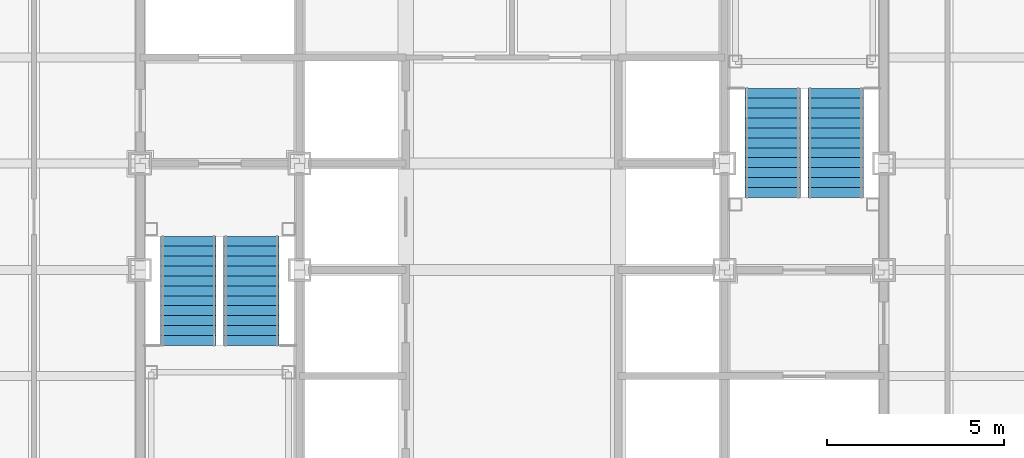
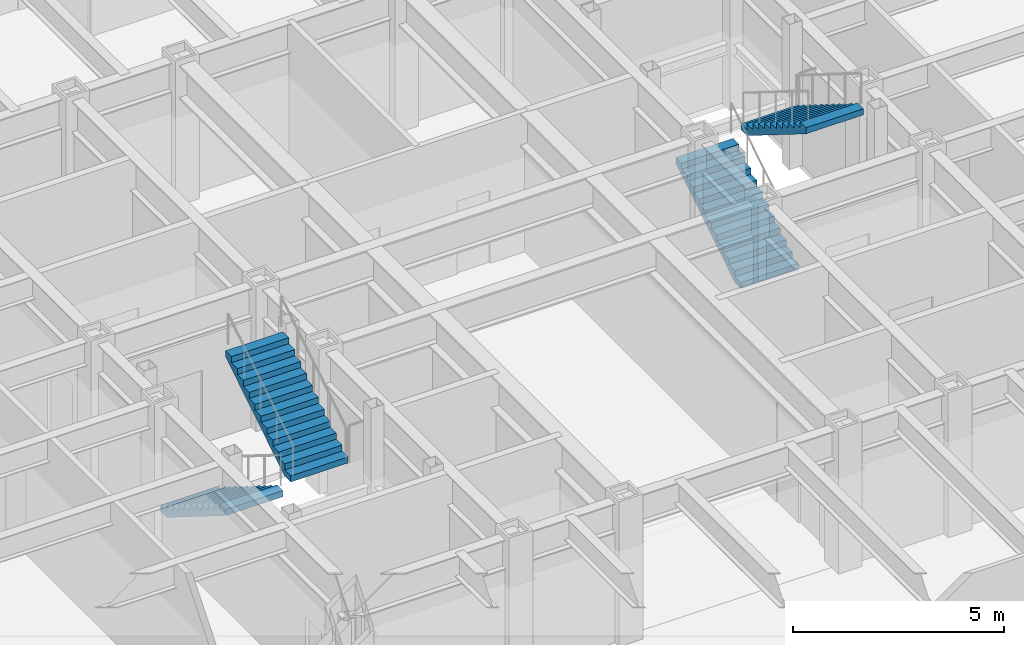
# One storey, part 13 of 15: 4 stair flights, 2 elements without a shape of their own.
"""IFC4 building model written with IfcOpenShell, lengths in metres."""

from ifc_helpers import new_model, si_unit, direction, frame, origin, place, context, subcontext, project, spatial, faceted_brep, material, type_object, element, aggregate, save


model = new_model("IFC4")

# Units and contexts
model_context = context("Model", 3, precision=1e-05, world=origin(), true_north=direction((0.0, 1.0)))
body_context = subcontext(model_context, "Body", "Model", "MODEL_VIEW")
ifc_project = project(units=[si_unit("LENGTHUNIT", "METRE"), si_unit("AREAUNIT", "SQUARE_METRE"), si_unit("VOLUMEUNIT", "CUBIC_METRE"), si_unit("PLANEANGLEUNIT", "RADIAN"), si_unit("MASSUNIT", "GRAM", prefix="KILO")], contexts=[model_context])

# Site, building, storey
site_placement = place(None, origin())
site = spatial("IfcSite", under=ifc_project, at=site_placement, CompositionType="ELEMENT")
building_placement = place(site_placement, origin())
building = spatial("IfcBuilding", under=site, at=building_placement, Name="Chuquiago Exchange Tower", CompositionType="ELEMENT")
storey_placement = place(building_placement, frame((0.0, 0.0, 188.699951171875)))
storey = spatial("IfcBuildingStorey", under=building, at=storey_placement, Name="L41", CompositionType="ELEMENT", Elevation=188.699951171875)

# Stair, stair flights
ifc_material_1 = material(Name="Concrete C30/37, precast", Category="concrete")
stair_type_1 = type_object("IfcStairType", Name="ST1 half-turn stair 4200", PredefinedType="HALF_TURN_STAIR", material=ifc_material_1)
stair_1_placement = place(storey_placement, origin())
stair_1 = element("IfcStair", 1, at=stair_1_placement, inside=storey, type_object=stair_type_1, Name="Stair ST1 L41", PredefinedType="HALF_TURN_STAIR")
ifc_material_2 = material(Name="Concrete C30/37, precast", Category="concrete")
stair_flight_type = type_object("IfcStairFlightType", Name="ST-F flight 1570 for 4200 storey", PredefinedType="STRAIGHT", material=ifc_material_2)
stair_flight_1_placement = place(storey_placement, frame((13.360107421875, 21.949951171875, 0.0), z_axis=(0.0, 0.0, 1.0), x_axis=(0.0, -1.0, 0.0)))
stair_flight_1 = element("IfcStairFlight", 2, at=stair_flight_1_placement, type_object=stair_flight_type, Name="ST1 flight 1", NumberOfRisers=12, NumberOfTreads=11, PredefinedType="STRAIGHT", RiserHeight=0.175, TreadLength=0.28, context=body_context, shape_type="Brep", body=[
    faceted_brep([(0.0, 0.78515625, 0.0), (0.0, 0.78515625, 0.175048828125), (0.280029296875, 0.78515625, 0.175048828125), (0.280029296875, 0.78515625, 0.35009765625), (0.56005859375, 0.78515625, 0.35009765625), (0.56005859375, 0.78515625, 0.52490234375), (0.840087890625, 0.78515625, 0.52490234375), (0.840087890625, 0.78515625, 0.699951171875), (1.1201171875, 0.78515625, 0.699951171875), (1.1201171875, 0.78515625, 0.875), (1.39990234375, 0.78515625, 0.875), (1.39990234375, 0.78515625, 1.050048828125), (1.679931640625, 0.78515625, 1.050048828125), (1.679931640625, 0.78515625, 1.22509765625), (1.9599609375, 0.78515625, 1.22509765625), (1.9599609375, 0.78515625, 1.39990234375), (2.239990234375, 0.78515625, 1.39990234375), (2.239990234375, 0.78515625, 1.574951171875), (2.52001953125, 0.78515625, 1.574951171875), (2.52001953125, 0.78515625, 1.75), (2.800048828125, 0.78515625, 1.75), (2.800048828125, 0.78515625, 1.925048828125), (3.080078125, 0.78515625, 1.925048828125), (3.080078125, 0.78515625, 1.748291015625), (0.28271484375, 0.78515625, 0.0), (0.28271484375, -0.78515625, 0.0), (3.080078125, -0.78515625, 1.748291015625), (3.080078125, -0.78515625, 1.925048828125), (2.800048828125, -0.78515625, 1.925048828125), (2.800048828125, -0.78515625, 1.75), (2.52001953125, -0.78515625, 1.75), (2.52001953125, -0.78515625, 1.574951171875), (2.239990234375, -0.78515625, 1.574951171875), (2.239990234375, -0.78515625, 1.39990234375), (1.9599609375, -0.78515625, 1.39990234375), (1.9599609375, -0.78515625, 1.22509765625), (1.679931640625, -0.78515625, 1.22509765625), (1.679931640625, -0.78515625, 1.050048828125), (1.39990234375, -0.78515625, 1.050048828125), (1.39990234375, -0.78515625, 0.875), (1.1201171875, -0.78515625, 0.875), (1.1201171875, -0.78515625, 0.699951171875), (0.840087890625, -0.78515625, 0.699951171875), (0.840087890625, -0.78515625, 0.52490234375), (0.56005859375, -0.78515625, 0.52490234375), (0.56005859375, -0.78515625, 0.35009765625), (0.280029296875, -0.78515625, 0.35009765625), (0.280029296875, -0.78515625, 0.175048828125), (0.0, -0.78515625, 0.175048828125), (0.0, -0.78515625, 0.0), (0.0, 0.392578125, 0.0), (0.0, 0.392578125, 0.175048828125), (0.0, 0.0, 0.0), (0.0, 0.0, 0.175048828125), (0.0, -0.392578125, 0.0), (0.0, -0.392578125, 0.175048828125), (0.280029296875, 0.392578125, 0.175048828125), (0.280029296875, 0.0, 0.175048828125), (0.280029296875, -0.392578125, 0.175048828125), (0.280029296875, 0.392578125, 0.35009765625), (0.280029296875, 0.0, 0.35009765625), (0.280029296875, -0.392578125, 0.35009765625), (0.56005859375, 0.392578125, 0.35009765625), (0.56005859375, 0.0, 0.35009765625), (0.56005859375, -0.392578125, 0.35009765625), (0.56005859375, 0.392578125, 0.52490234375), (0.56005859375, 0.0, 0.52490234375), (0.56005859375, -0.392578125, 0.52490234375), (0.840087890625, 0.392578125, 0.52490234375), (0.840087890625, 0.0, 0.52490234375), (0.840087890625, -0.392578125, 0.52490234375), (0.840087890625, 0.392578125, 0.699951171875), (0.840087890625, 0.0, 0.699951171875), (0.840087890625, -0.392578125, 0.699951171875), (1.1201171875, 0.392578125, 0.699951171875), (1.1201171875, 0.0, 0.699951171875), (1.1201171875, -0.392578125, 0.699951171875), (1.1201171875, 0.392578125, 0.875), (1.1201171875, 0.0, 0.875), (1.1201171875, -0.392578125, 0.875), (1.39990234375, 0.392578125, 0.875), (1.39990234375, 0.0, 0.875), (1.39990234375, -0.392578125, 0.875), (1.39990234375, 0.392578125, 1.050048828125), (1.39990234375, 0.0, 1.050048828125), (1.39990234375, -0.392578125, 1.050048828125), (1.679931640625, 0.392578125, 1.050048828125), (1.679931640625, 0.0, 1.050048828125), (1.679931640625, -0.392578125, 1.050048828125), (1.679931640625, 0.392578125, 1.22509765625), (1.679931640625, 0.0, 1.22509765625), (1.679931640625, -0.392578125, 1.22509765625), (1.9599609375, 0.392578125, 1.22509765625), (1.9599609375, 0.0, 1.22509765625), (1.9599609375, -0.392578125, 1.22509765625), (1.9599609375, 0.392578125, 1.39990234375), (1.9599609375, 0.0, 1.39990234375), (1.9599609375, -0.392578125, 1.39990234375), (2.239990234375, 0.392578125, 1.39990234375), (2.239990234375, 0.0, 1.39990234375), (2.239990234375, -0.392578125, 1.39990234375), (2.239990234375, 0.392578125, 1.574951171875), (2.239990234375, 0.0, 1.574951171875), (2.239990234375, -0.392578125, 1.574951171875), (2.52001953125, 0.392578125, 1.574951171875), (2.52001953125, 0.0, 1.574951171875), (2.52001953125, -0.392578125, 1.574951171875), (2.52001953125, 0.392578125, 1.75), (2.52001953125, 0.0, 1.75), (2.52001953125, -0.392578125, 1.75), (2.800048828125, 0.392578125, 1.75), (2.800048828125, 0.0, 1.75), (2.800048828125, -0.392578125, 1.75), (2.800048828125, 0.392578125, 1.925048828125), (2.800048828125, 0.0, 1.925048828125), (2.800048828125, -0.392578125, 1.925048828125), (3.080078125, 0.392578125, 1.925048828125), (3.080078125, 0.0, 1.925048828125), (3.080078125, -0.392578125, 1.925048828125), (3.080078125, 0.392578125, 1.748291015625), (3.080078125, 0.0, 1.748291015625), (3.080078125, -0.392578125, 1.748291015625), (0.28271484375, 0.392578125, 0.0), (0.28271484375, 0.0, 0.0), (0.28271484375, -0.392578125, 0.0)], [[[0, 1, 2, 3, 4, 5, 6, 7, 8, 9, 10, 11, 12, 13, 14, 15, 16, 17, 18, 19, 20, 21, 22, 23, 24]], [[25, 26, 27, 28, 29, 30, 31, 32, 33, 34, 35, 36, 37, 38, 39, 40, 41, 42, 43, 44, 45, 46, 47, 48, 49]], [[1, 0, 50, 51]], [[51, 50, 52, 53]], [[53, 52, 54, 55]], [[55, 54, 49, 48]], [[2, 1, 51, 56]], [[56, 51, 53, 57]], [[57, 53, 55, 58]], [[58, 55, 48, 47]], [[3, 2, 56, 59]], [[59, 56, 57, 60]], [[60, 57, 58, 61]], [[61, 58, 47, 46]], [[4, 3, 59, 62]], [[62, 59, 60, 63]], [[63, 60, 61, 64]], [[64, 61, 46, 45]], [[5, 4, 62, 65]], [[65, 62, 63, 66]], [[66, 63, 64, 67]], [[67, 64, 45, 44]], [[6, 5, 65, 68]], [[68, 65, 66, 69]], [[69, 66, 67, 70]], [[70, 67, 44, 43]], [[7, 6, 68, 71]], [[71, 68, 69, 72]], [[72, 69, 70, 73]], [[73, 70, 43, 42]], [[8, 7, 71, 74]], [[74, 71, 72, 75]], [[75, 72, 73, 76]], [[76, 73, 42, 41]], [[9, 8, 74, 77]], [[77, 74, 75, 78]], [[78, 75, 76, 79]], [[79, 76, 41, 40]], [[10, 9, 77, 80]], [[80, 77, 78, 81]], [[81, 78, 79, 82]], [[82, 79, 40, 39]], [[11, 10, 80, 83]], [[83, 80, 81, 84]], [[84, 81, 82, 85]], [[85, 82, 39, 38]], [[12, 11, 83, 86]], [[86, 83, 84, 87]], [[87, 84, 85, 88]], [[88, 85, 38, 37]], [[13, 12, 86, 89]], [[89, 86, 87, 90]], [[90, 87, 88, 91]], [[91, 88, 37, 36]], [[14, 13, 89, 92]], [[92, 89, 90, 93]], [[93, 90, 91, 94]], [[94, 91, 36, 35]], [[15, 14, 92, 95]], [[95, 92, 93, 96]], [[96, 93, 94, 97]], [[97, 94, 35, 34]], [[16, 15, 95, 98]], [[98, 95, 96, 99]], [[99, 96, 97, 100]], [[100, 97, 34, 33]], [[17, 16, 98, 101]], [[101, 98, 99, 102]], [[102, 99, 100, 103]], [[103, 100, 33, 32]], [[18, 17, 101, 104]], [[104, 101, 102, 105]], [[105, 102, 103, 106]], [[106, 103, 32, 31]], [[19, 18, 104, 107]], [[107, 104, 105, 108]], [[108, 105, 106, 109]], [[109, 106, 31, 30]], [[20, 19, 107, 110]], [[110, 107, 108, 111]], [[111, 108, 109, 112]], [[112, 109, 30, 29]], [[21, 20, 110, 113]], [[113, 110, 111, 114]], [[114, 111, 112, 115]], [[115, 112, 29, 28]], [[22, 21, 113, 116]], [[116, 113, 114, 117]], [[117, 114, 115, 118]], [[118, 115, 28, 27]], [[23, 22, 116, 119]], [[119, 116, 117, 120]], [[120, 117, 118, 121]], [[121, 118, 27, 26]], [[24, 23, 119, 122]], [[122, 119, 120, 123]], [[123, 120, 121, 124]], [[124, 121, 26, 25]], [[0, 24, 122, 50]], [[50, 122, 123, 52]], [[52, 123, 124, 54]], [[54, 124, 25, 49]]]),
])
stair_flight_2_placement = place(storey_placement, frame((15.139892578125, 18.8701171875, 2.10009765625), z_axis=(0.0, 0.0, 1.0), x_axis=(0.0, 1.0, 0.0)))
stair_flight_2 = element("IfcStairFlight", 3, at=stair_flight_2_placement, type_object=stair_flight_type, Name="ST1 flight 2", NumberOfRisers=12, NumberOfTreads=11, PredefinedType="STRAIGHT", RiserHeight=0.175, TreadLength=0.28, context=body_context, shape_type="Brep", body=[
    faceted_brep([(0.0, 0.78515625, 0.0), (0.0, 0.78515625, 0.175048828125), (0.280029296875, 0.78515625, 0.175048828125), (0.280029296875, 0.78515625, 0.35009765625), (0.56005859375, 0.78515625, 0.35009765625), (0.56005859375, 0.78515625, 0.52490234375), (0.840087890625, 0.78515625, 0.52490234375), (0.840087890625, 0.78515625, 0.699951171875), (1.1201171875, 0.78515625, 0.699951171875), (1.1201171875, 0.78515625, 0.875), (1.39990234375, 0.78515625, 0.875), (1.39990234375, 0.78515625, 1.050048828125), (1.679931640625, 0.78515625, 1.050048828125), (1.679931640625, 0.78515625, 1.22509765625), (1.9599609375, 0.78515625, 1.22509765625), (1.9599609375, 0.78515625, 1.39990234375), (2.239990234375, 0.78515625, 1.39990234375), (2.239990234375, 0.78515625, 1.574951171875), (2.52001953125, 0.78515625, 1.574951171875), (2.52001953125, 0.78515625, 1.75), (2.800048828125, 0.78515625, 1.75), (2.800048828125, 0.78515625, 1.925048828125), (3.080078125, 0.78515625, 1.925048828125), (3.080078125, 0.78515625, 1.748291015625), (0.28271484375, 0.78515625, 0.0), (0.28271484375, -0.78515625, 0.0), (3.080078125, -0.78515625, 1.748291015625), (3.080078125, -0.78515625, 1.925048828125), (2.800048828125, -0.78515625, 1.925048828125), (2.800048828125, -0.78515625, 1.75), (2.52001953125, -0.78515625, 1.75), (2.52001953125, -0.78515625, 1.574951171875), (2.239990234375, -0.78515625, 1.574951171875), (2.239990234375, -0.78515625, 1.39990234375), (1.9599609375, -0.78515625, 1.39990234375), (1.9599609375, -0.78515625, 1.22509765625), (1.679931640625, -0.78515625, 1.22509765625), (1.679931640625, -0.78515625, 1.050048828125), (1.39990234375, -0.78515625, 1.050048828125), (1.39990234375, -0.78515625, 0.875), (1.1201171875, -0.78515625, 0.875), (1.1201171875, -0.78515625, 0.699951171875), (0.840087890625, -0.78515625, 0.699951171875), (0.840087890625, -0.78515625, 0.52490234375), (0.56005859375, -0.78515625, 0.52490234375), (0.56005859375, -0.78515625, 0.35009765625), (0.280029296875, -0.78515625, 0.35009765625), (0.280029296875, -0.78515625, 0.175048828125), (0.0, -0.78515625, 0.175048828125), (0.0, -0.78515625, 0.0), (0.0, 0.392578125, 0.0), (0.0, 0.392578125, 0.175048828125), (0.0, 0.0, 0.0), (0.0, 0.0, 0.175048828125), (0.0, -0.392578125, 0.0), (0.0, -0.392578125, 0.175048828125), (0.280029296875, 0.392578125, 0.175048828125), (0.280029296875, 0.0, 0.175048828125), (0.280029296875, -0.392578125, 0.175048828125), (0.280029296875, 0.392578125, 0.35009765625), (0.280029296875, 0.0, 0.35009765625), (0.280029296875, -0.392578125, 0.35009765625), (0.56005859375, 0.392578125, 0.35009765625), (0.56005859375, 0.0, 0.35009765625), (0.56005859375, -0.392578125, 0.35009765625), (0.56005859375, 0.392578125, 0.52490234375), (0.56005859375, 0.0, 0.52490234375), (0.56005859375, -0.392578125, 0.52490234375), (0.840087890625, 0.392578125, 0.52490234375), (0.840087890625, 0.0, 0.52490234375), (0.840087890625, -0.392578125, 0.52490234375), (0.840087890625, 0.392578125, 0.699951171875), (0.840087890625, 0.0, 0.699951171875), (0.840087890625, -0.392578125, 0.699951171875), (1.1201171875, 0.392578125, 0.699951171875), (1.1201171875, 0.0, 0.699951171875), (1.1201171875, -0.392578125, 0.699951171875), (1.1201171875, 0.392578125, 0.875), (1.1201171875, 0.0, 0.875), (1.1201171875, -0.392578125, 0.875), (1.39990234375, 0.392578125, 0.875), (1.39990234375, 0.0, 0.875), (1.39990234375, -0.392578125, 0.875), (1.39990234375, 0.392578125, 1.050048828125), (1.39990234375, 0.0, 1.050048828125), (1.39990234375, -0.392578125, 1.050048828125), (1.679931640625, 0.392578125, 1.050048828125), (1.679931640625, 0.0, 1.050048828125), (1.679931640625, -0.392578125, 1.050048828125), (1.679931640625, 0.392578125, 1.22509765625), (1.679931640625, 0.0, 1.22509765625), (1.679931640625, -0.392578125, 1.22509765625), (1.9599609375, 0.392578125, 1.22509765625), (1.9599609375, 0.0, 1.22509765625), (1.9599609375, -0.392578125, 1.22509765625), (1.9599609375, 0.392578125, 1.39990234375), (1.9599609375, 0.0, 1.39990234375), (1.9599609375, -0.392578125, 1.39990234375), (2.239990234375, 0.392578125, 1.39990234375), (2.239990234375, 0.0, 1.39990234375), (2.239990234375, -0.392578125, 1.39990234375), (2.239990234375, 0.392578125, 1.574951171875), (2.239990234375, 0.0, 1.574951171875), (2.239990234375, -0.392578125, 1.574951171875), (2.52001953125, 0.392578125, 1.574951171875), (2.52001953125, 0.0, 1.574951171875), (2.52001953125, -0.392578125, 1.574951171875), (2.52001953125, 0.392578125, 1.75), (2.52001953125, 0.0, 1.75), (2.52001953125, -0.392578125, 1.75), (2.800048828125, 0.392578125, 1.75), (2.800048828125, 0.0, 1.75), (2.800048828125, -0.392578125, 1.75), (2.800048828125, 0.392578125, 1.925048828125), (2.800048828125, 0.0, 1.925048828125), (2.800048828125, -0.392578125, 1.925048828125), (3.080078125, 0.392578125, 1.925048828125), (3.080078125, 0.0, 1.925048828125), (3.080078125, -0.392578125, 1.925048828125), (3.080078125, 0.392578125, 1.748291015625), (3.080078125, 0.0, 1.748291015625), (3.080078125, -0.392578125, 1.748291015625), (0.28271484375, 0.392578125, 0.0), (0.28271484375, 0.0, 0.0), (0.28271484375, -0.392578125, 0.0)], [[[0, 1, 2, 3, 4, 5, 6, 7, 8, 9, 10, 11, 12, 13, 14, 15, 16, 17, 18, 19, 20, 21, 22, 23, 24]], [[25, 26, 27, 28, 29, 30, 31, 32, 33, 34, 35, 36, 37, 38, 39, 40, 41, 42, 43, 44, 45, 46, 47, 48, 49]], [[1, 0, 50, 51]], [[51, 50, 52, 53]], [[53, 52, 54, 55]], [[55, 54, 49, 48]], [[2, 1, 51, 56]], [[56, 51, 53, 57]], [[57, 53, 55, 58]], [[58, 55, 48, 47]], [[3, 2, 56, 59]], [[59, 56, 57, 60]], [[60, 57, 58, 61]], [[61, 58, 47, 46]], [[4, 3, 59, 62]], [[62, 59, 60, 63]], [[63, 60, 61, 64]], [[64, 61, 46, 45]], [[5, 4, 62, 65]], [[65, 62, 63, 66]], [[66, 63, 64, 67]], [[67, 64, 45, 44]], [[6, 5, 65, 68]], [[68, 65, 66, 69]], [[69, 66, 67, 70]], [[70, 67, 44, 43]], [[7, 6, 68, 71]], [[71, 68, 69, 72]], [[72, 69, 70, 73]], [[73, 70, 43, 42]], [[8, 7, 71, 74]], [[74, 71, 72, 75]], [[75, 72, 73, 76]], [[76, 73, 42, 41]], [[9, 8, 74, 77]], [[77, 74, 75, 78]], [[78, 75, 76, 79]], [[79, 76, 41, 40]], [[10, 9, 77, 80]], [[80, 77, 78, 81]], [[81, 78, 79, 82]], [[82, 79, 40, 39]], [[11, 10, 80, 83]], [[83, 80, 81, 84]], [[84, 81, 82, 85]], [[85, 82, 39, 38]], [[12, 11, 83, 86]], [[86, 83, 84, 87]], [[87, 84, 85, 88]], [[88, 85, 38, 37]], [[13, 12, 86, 89]], [[89, 86, 87, 90]], [[90, 87, 88, 91]], [[91, 88, 37, 36]], [[14, 13, 89, 92]], [[92, 89, 90, 93]], [[93, 90, 91, 94]], [[94, 91, 36, 35]], [[15, 14, 92, 95]], [[95, 92, 93, 96]], [[96, 93, 94, 97]], [[97, 94, 35, 34]], [[16, 15, 95, 98]], [[98, 95, 96, 99]], [[99, 96, 97, 100]], [[100, 97, 34, 33]], [[17, 16, 98, 101]], [[101, 98, 99, 102]], [[102, 99, 100, 103]], [[103, 100, 33, 32]], [[18, 17, 101, 104]], [[104, 101, 102, 105]], [[105, 102, 103, 106]], [[106, 103, 32, 31]], [[19, 18, 104, 107]], [[107, 104, 105, 108]], [[108, 105, 106, 109]], [[109, 106, 31, 30]], [[20, 19, 107, 110]], [[110, 107, 108, 111]], [[111, 108, 109, 112]], [[112, 109, 30, 29]], [[21, 20, 110, 113]], [[113, 110, 111, 114]], [[114, 111, 112, 115]], [[115, 112, 29, 28]], [[22, 21, 113, 116]], [[116, 113, 114, 117]], [[117, 114, 115, 118]], [[118, 115, 28, 27]], [[23, 22, 116, 119]], [[119, 116, 117, 120]], [[120, 117, 118, 121]], [[121, 118, 27, 26]], [[24, 23, 119, 122]], [[122, 119, 120, 123]], [[123, 120, 121, 124]], [[124, 121, 26, 25]], [[0, 24, 122, 50]], [[50, 122, 123, 52]], [[52, 123, 124, 54]], [[54, 124, 25, 49]]]),
])
aggregate(stair_1, [stair_flight_1, stair_flight_2])

ifc_material_3 = material(Name="Concrete C30/37, precast", Category="concrete")
stair_type_2 = type_object("IfcStairType", Name="ST2 half-turn stair 4200", PredefinedType="HALF_TURN_STAIR", material=ifc_material_3)
stair_2_placement = place(storey_placement, origin())
stair_2 = element("IfcStair", 4, at=stair_2_placement, inside=storey, type_object=stair_type_2, Name="Stair ST2 L41", PredefinedType="HALF_TURN_STAIR")
stair_flight_3_placement = place(storey_placement, frame((29.860107421875, 23.050048828125, 0.0), z_axis=(0.0, 0.0, 1.0), x_axis=(0.0, 1.0, 0.0)))
stair_flight_3 = element("IfcStairFlight", 5, at=stair_flight_3_placement, type_object=stair_flight_type, Name="ST2 flight 1", NumberOfRisers=12, NumberOfTreads=11, PredefinedType="STRAIGHT", RiserHeight=0.175, TreadLength=0.28, context=body_context, shape_type="Brep", body=[
    faceted_brep([(0.0, 0.78515625, 0.0), (0.0, 0.78515625, 0.175048828125), (0.280029296875, 0.78515625, 0.175048828125), (0.280029296875, 0.78515625, 0.35009765625), (0.56005859375, 0.78515625, 0.35009765625), (0.56005859375, 0.78515625, 0.52490234375), (0.840087890625, 0.78515625, 0.52490234375), (0.840087890625, 0.78515625, 0.699951171875), (1.1201171875, 0.78515625, 0.699951171875), (1.1201171875, 0.78515625, 0.875), (1.39990234375, 0.78515625, 0.875), (1.39990234375, 0.78515625, 1.050048828125), (1.679931640625, 0.78515625, 1.050048828125), (1.679931640625, 0.78515625, 1.22509765625), (1.9599609375, 0.78515625, 1.22509765625), (1.9599609375, 0.78515625, 1.39990234375), (2.239990234375, 0.78515625, 1.39990234375), (2.239990234375, 0.78515625, 1.574951171875), (2.52001953125, 0.78515625, 1.574951171875), (2.52001953125, 0.78515625, 1.75), (2.800048828125, 0.78515625, 1.75), (2.800048828125, 0.78515625, 1.925048828125), (3.080078125, 0.78515625, 1.925048828125), (3.080078125, 0.78515625, 1.748291015625), (0.28271484375, 0.78515625, 0.0), (0.28271484375, -0.78515625, 0.0), (3.080078125, -0.78515625, 1.748291015625), (3.080078125, -0.78515625, 1.925048828125), (2.800048828125, -0.78515625, 1.925048828125), (2.800048828125, -0.78515625, 1.75), (2.52001953125, -0.78515625, 1.75), (2.52001953125, -0.78515625, 1.574951171875), (2.239990234375, -0.78515625, 1.574951171875), (2.239990234375, -0.78515625, 1.39990234375), (1.9599609375, -0.78515625, 1.39990234375), (1.9599609375, -0.78515625, 1.22509765625), (1.679931640625, -0.78515625, 1.22509765625), (1.679931640625, -0.78515625, 1.050048828125), (1.39990234375, -0.78515625, 1.050048828125), (1.39990234375, -0.78515625, 0.875), (1.1201171875, -0.78515625, 0.875), (1.1201171875, -0.78515625, 0.699951171875), (0.840087890625, -0.78515625, 0.699951171875), (0.840087890625, -0.78515625, 0.52490234375), (0.56005859375, -0.78515625, 0.52490234375), (0.56005859375, -0.78515625, 0.35009765625), (0.280029296875, -0.78515625, 0.35009765625), (0.280029296875, -0.78515625, 0.175048828125), (0.0, -0.78515625, 0.175048828125), (0.0, -0.78515625, 0.0), (0.0, 0.392578125, 0.0), (0.0, 0.392578125, 0.175048828125), (0.0, 0.0, 0.0), (0.0, 0.0, 0.175048828125), (0.0, -0.392578125, 0.0), (0.0, -0.392578125, 0.175048828125), (0.280029296875, 0.392578125, 0.175048828125), (0.280029296875, 0.0, 0.175048828125), (0.280029296875, -0.392578125, 0.175048828125), (0.280029296875, 0.392578125, 0.35009765625), (0.280029296875, 0.0, 0.35009765625), (0.280029296875, -0.392578125, 0.35009765625), (0.56005859375, 0.392578125, 0.35009765625), (0.56005859375, 0.0, 0.35009765625), (0.56005859375, -0.392578125, 0.35009765625), (0.56005859375, 0.392578125, 0.52490234375), (0.56005859375, 0.0, 0.52490234375), (0.56005859375, -0.392578125, 0.52490234375), (0.840087890625, 0.392578125, 0.52490234375), (0.840087890625, 0.0, 0.52490234375), (0.840087890625, -0.392578125, 0.52490234375), (0.840087890625, 0.392578125, 0.699951171875), (0.840087890625, 0.0, 0.699951171875), (0.840087890625, -0.392578125, 0.699951171875), (1.1201171875, 0.392578125, 0.699951171875), (1.1201171875, 0.0, 0.699951171875), (1.1201171875, -0.392578125, 0.699951171875), (1.1201171875, 0.392578125, 0.875), (1.1201171875, 0.0, 0.875), (1.1201171875, -0.392578125, 0.875), (1.39990234375, 0.392578125, 0.875), (1.39990234375, 0.0, 0.875), (1.39990234375, -0.392578125, 0.875), (1.39990234375, 0.392578125, 1.050048828125), (1.39990234375, 0.0, 1.050048828125), (1.39990234375, -0.392578125, 1.050048828125), (1.679931640625, 0.392578125, 1.050048828125), (1.679931640625, 0.0, 1.050048828125), (1.679931640625, -0.392578125, 1.050048828125), (1.679931640625, 0.392578125, 1.22509765625), (1.679931640625, 0.0, 1.22509765625), (1.679931640625, -0.392578125, 1.22509765625), (1.9599609375, 0.392578125, 1.22509765625), (1.9599609375, 0.0, 1.22509765625), (1.9599609375, -0.392578125, 1.22509765625), (1.9599609375, 0.392578125, 1.39990234375), (1.9599609375, 0.0, 1.39990234375), (1.9599609375, -0.392578125, 1.39990234375), (2.239990234375, 0.392578125, 1.39990234375), (2.239990234375, 0.0, 1.39990234375), (2.239990234375, -0.392578125, 1.39990234375), (2.239990234375, 0.392578125, 1.574951171875), (2.239990234375, 0.0, 1.574951171875), (2.239990234375, -0.392578125, 1.574951171875), (2.52001953125, 0.392578125, 1.574951171875), (2.52001953125, 0.0, 1.574951171875), (2.52001953125, -0.392578125, 1.574951171875), (2.52001953125, 0.392578125, 1.75), (2.52001953125, 0.0, 1.75), (2.52001953125, -0.392578125, 1.75), (2.800048828125, 0.392578125, 1.75), (2.800048828125, 0.0, 1.75), (2.800048828125, -0.392578125, 1.75), (2.800048828125, 0.392578125, 1.925048828125), (2.800048828125, 0.0, 1.925048828125), (2.800048828125, -0.392578125, 1.925048828125), (3.080078125, 0.392578125, 1.925048828125), (3.080078125, 0.0, 1.925048828125), (3.080078125, -0.392578125, 1.925048828125), (3.080078125, 0.392578125, 1.748291015625), (3.080078125, 0.0, 1.748291015625), (3.080078125, -0.392578125, 1.748291015625), (0.28271484375, 0.392578125, 0.0), (0.28271484375, 0.0, 0.0), (0.28271484375, -0.392578125, 0.0)], [[[0, 1, 2, 3, 4, 5, 6, 7, 8, 9, 10, 11, 12, 13, 14, 15, 16, 17, 18, 19, 20, 21, 22, 23, 24]], [[25, 26, 27, 28, 29, 30, 31, 32, 33, 34, 35, 36, 37, 38, 39, 40, 41, 42, 43, 44, 45, 46, 47, 48, 49]], [[1, 0, 50, 51]], [[51, 50, 52, 53]], [[53, 52, 54, 55]], [[55, 54, 49, 48]], [[2, 1, 51, 56]], [[56, 51, 53, 57]], [[57, 53, 55, 58]], [[58, 55, 48, 47]], [[3, 2, 56, 59]], [[59, 56, 57, 60]], [[60, 57, 58, 61]], [[61, 58, 47, 46]], [[4, 3, 59, 62]], [[62, 59, 60, 63]], [[63, 60, 61, 64]], [[64, 61, 46, 45]], [[5, 4, 62, 65]], [[65, 62, 63, 66]], [[66, 63, 64, 67]], [[67, 64, 45, 44]], [[6, 5, 65, 68]], [[68, 65, 66, 69]], [[69, 66, 67, 70]], [[70, 67, 44, 43]], [[7, 6, 68, 71]], [[71, 68, 69, 72]], [[72, 69, 70, 73]], [[73, 70, 43, 42]], [[8, 7, 71, 74]], [[74, 71, 72, 75]], [[75, 72, 73, 76]], [[76, 73, 42, 41]], [[9, 8, 74, 77]], [[77, 74, 75, 78]], [[78, 75, 76, 79]], [[79, 76, 41, 40]], [[10, 9, 77, 80]], [[80, 77, 78, 81]], [[81, 78, 79, 82]], [[82, 79, 40, 39]], [[11, 10, 80, 83]], [[83, 80, 81, 84]], [[84, 81, 82, 85]], [[85, 82, 39, 38]], [[12, 11, 83, 86]], [[86, 83, 84, 87]], [[87, 84, 85, 88]], [[88, 85, 38, 37]], [[13, 12, 86, 89]], [[89, 86, 87, 90]], [[90, 87, 88, 91]], [[91, 88, 37, 36]], [[14, 13, 89, 92]], [[92, 89, 90, 93]], [[93, 90, 91, 94]], [[94, 91, 36, 35]], [[15, 14, 92, 95]], [[95, 92, 93, 96]], [[96, 93, 94, 97]], [[97, 94, 35, 34]], [[16, 15, 95, 98]], [[98, 95, 96, 99]], [[99, 96, 97, 100]], [[100, 97, 34, 33]], [[17, 16, 98, 101]], [[101, 98, 99, 102]], [[102, 99, 100, 103]], [[103, 100, 33, 32]], [[18, 17, 101, 104]], [[104, 101, 102, 105]], [[105, 102, 103, 106]], [[106, 103, 32, 31]], [[19, 18, 104, 107]], [[107, 104, 105, 108]], [[108, 105, 106, 109]], [[109, 106, 31, 30]], [[20, 19, 107, 110]], [[110, 107, 108, 111]], [[111, 108, 109, 112]], [[112, 109, 30, 29]], [[21, 20, 110, 113]], [[113, 110, 111, 114]], [[114, 111, 112, 115]], [[115, 112, 29, 28]], [[22, 21, 113, 116]], [[116, 113, 114, 117]], [[117, 114, 115, 118]], [[118, 115, 28, 27]], [[23, 22, 116, 119]], [[119, 116, 117, 120]], [[120, 117, 118, 121]], [[121, 118, 27, 26]], [[24, 23, 119, 122]], [[122, 119, 120, 123]], [[123, 120, 121, 124]], [[124, 121, 26, 25]], [[0, 24, 122, 50]], [[50, 122, 123, 52]], [[52, 123, 124, 54]], [[54, 124, 25, 49]]]),
])
stair_flight_4_placement = place(storey_placement, frame((31.639892578125, 26.1298828125, 2.10009765625), z_axis=(0.0, 0.0, 1.0), x_axis=(0.0, -1.0, 0.0)))
stair_flight_4 = element("IfcStairFlight", 6, at=stair_flight_4_placement, type_object=stair_flight_type, Name="ST2 flight 2", NumberOfRisers=12, NumberOfTreads=11, PredefinedType="STRAIGHT", RiserHeight=0.175, TreadLength=0.28, context=body_context, shape_type="Brep", body=[
    faceted_brep([(0.0, 0.78515625, 0.0), (0.0, 0.78515625, 0.175048828125), (0.280029296875, 0.78515625, 0.175048828125), (0.280029296875, 0.78515625, 0.35009765625), (0.56005859375, 0.78515625, 0.35009765625), (0.56005859375, 0.78515625, 0.52490234375), (0.840087890625, 0.78515625, 0.52490234375), (0.840087890625, 0.78515625, 0.699951171875), (1.1201171875, 0.78515625, 0.699951171875), (1.1201171875, 0.78515625, 0.875), (1.39990234375, 0.78515625, 0.875), (1.39990234375, 0.78515625, 1.050048828125), (1.679931640625, 0.78515625, 1.050048828125), (1.679931640625, 0.78515625, 1.22509765625), (1.9599609375, 0.78515625, 1.22509765625), (1.9599609375, 0.78515625, 1.39990234375), (2.239990234375, 0.78515625, 1.39990234375), (2.239990234375, 0.78515625, 1.574951171875), (2.52001953125, 0.78515625, 1.574951171875), (2.52001953125, 0.78515625, 1.75), (2.800048828125, 0.78515625, 1.75), (2.800048828125, 0.78515625, 1.925048828125), (3.080078125, 0.78515625, 1.925048828125), (3.080078125, 0.78515625, 1.748291015625), (0.28271484375, 0.78515625, 0.0), (0.28271484375, -0.78515625, 0.0), (3.080078125, -0.78515625, 1.748291015625), (3.080078125, -0.78515625, 1.925048828125), (2.800048828125, -0.78515625, 1.925048828125), (2.800048828125, -0.78515625, 1.75), (2.52001953125, -0.78515625, 1.75), (2.52001953125, -0.78515625, 1.574951171875), (2.239990234375, -0.78515625, 1.574951171875), (2.239990234375, -0.78515625, 1.39990234375), (1.9599609375, -0.78515625, 1.39990234375), (1.9599609375, -0.78515625, 1.22509765625), (1.679931640625, -0.78515625, 1.22509765625), (1.679931640625, -0.78515625, 1.050048828125), (1.39990234375, -0.78515625, 1.050048828125), (1.39990234375, -0.78515625, 0.875), (1.1201171875, -0.78515625, 0.875), (1.1201171875, -0.78515625, 0.699951171875), (0.840087890625, -0.78515625, 0.699951171875), (0.840087890625, -0.78515625, 0.52490234375), (0.56005859375, -0.78515625, 0.52490234375), (0.56005859375, -0.78515625, 0.35009765625), (0.280029296875, -0.78515625, 0.35009765625), (0.280029296875, -0.78515625, 0.175048828125), (0.0, -0.78515625, 0.175048828125), (0.0, -0.78515625, 0.0), (0.0, 0.392578125, 0.0), (0.0, 0.392578125, 0.175048828125), (0.0, 0.0, 0.0), (0.0, 0.0, 0.175048828125), (0.0, -0.392578125, 0.0), (0.0, -0.392578125, 0.175048828125), (0.280029296875, 0.392578125, 0.175048828125), (0.280029296875, 0.0, 0.175048828125), (0.280029296875, -0.392578125, 0.175048828125), (0.280029296875, 0.392578125, 0.35009765625), (0.280029296875, 0.0, 0.35009765625), (0.280029296875, -0.392578125, 0.35009765625), (0.56005859375, 0.392578125, 0.35009765625), (0.56005859375, 0.0, 0.35009765625), (0.56005859375, -0.392578125, 0.35009765625), (0.56005859375, 0.392578125, 0.52490234375), (0.56005859375, 0.0, 0.52490234375), (0.56005859375, -0.392578125, 0.52490234375), (0.840087890625, 0.392578125, 0.52490234375), (0.840087890625, 0.0, 0.52490234375), (0.840087890625, -0.392578125, 0.52490234375), (0.840087890625, 0.392578125, 0.699951171875), (0.840087890625, 0.0, 0.699951171875), (0.840087890625, -0.392578125, 0.699951171875), (1.1201171875, 0.392578125, 0.699951171875), (1.1201171875, 0.0, 0.699951171875), (1.1201171875, -0.392578125, 0.699951171875), (1.1201171875, 0.392578125, 0.875), (1.1201171875, 0.0, 0.875), (1.1201171875, -0.392578125, 0.875), (1.39990234375, 0.392578125, 0.875), (1.39990234375, 0.0, 0.875), (1.39990234375, -0.392578125, 0.875), (1.39990234375, 0.392578125, 1.050048828125), (1.39990234375, 0.0, 1.050048828125), (1.39990234375, -0.392578125, 1.050048828125), (1.679931640625, 0.392578125, 1.050048828125), (1.679931640625, 0.0, 1.050048828125), (1.679931640625, -0.392578125, 1.050048828125), (1.679931640625, 0.392578125, 1.22509765625), (1.679931640625, 0.0, 1.22509765625), (1.679931640625, -0.392578125, 1.22509765625), (1.9599609375, 0.392578125, 1.22509765625), (1.9599609375, 0.0, 1.22509765625), (1.9599609375, -0.392578125, 1.22509765625), (1.9599609375, 0.392578125, 1.39990234375), (1.9599609375, 0.0, 1.39990234375), (1.9599609375, -0.392578125, 1.39990234375), (2.239990234375, 0.392578125, 1.39990234375), (2.239990234375, 0.0, 1.39990234375), (2.239990234375, -0.392578125, 1.39990234375), (2.239990234375, 0.392578125, 1.574951171875), (2.239990234375, 0.0, 1.574951171875), (2.239990234375, -0.392578125, 1.574951171875), (2.52001953125, 0.392578125, 1.574951171875), (2.52001953125, 0.0, 1.574951171875), (2.52001953125, -0.392578125, 1.574951171875), (2.52001953125, 0.392578125, 1.75), (2.52001953125, 0.0, 1.75), (2.52001953125, -0.392578125, 1.75), (2.800048828125, 0.392578125, 1.75), (2.800048828125, 0.0, 1.75), (2.800048828125, -0.392578125, 1.75), (2.800048828125, 0.392578125, 1.925048828125), (2.800048828125, 0.0, 1.925048828125), (2.800048828125, -0.392578125, 1.925048828125), (3.080078125, 0.392578125, 1.925048828125), (3.080078125, 0.0, 1.925048828125), (3.080078125, -0.392578125, 1.925048828125), (3.080078125, 0.392578125, 1.748291015625), (3.080078125, 0.0, 1.748291015625), (3.080078125, -0.392578125, 1.748291015625), (0.28271484375, 0.392578125, 0.0), (0.28271484375, 0.0, 0.0), (0.28271484375, -0.392578125, 0.0)], [[[0, 1, 2, 3, 4, 5, 6, 7, 8, 9, 10, 11, 12, 13, 14, 15, 16, 17, 18, 19, 20, 21, 22, 23, 24]], [[25, 26, 27, 28, 29, 30, 31, 32, 33, 34, 35, 36, 37, 38, 39, 40, 41, 42, 43, 44, 45, 46, 47, 48, 49]], [[1, 0, 50, 51]], [[51, 50, 52, 53]], [[53, 52, 54, 55]], [[55, 54, 49, 48]], [[2, 1, 51, 56]], [[56, 51, 53, 57]], [[57, 53, 55, 58]], [[58, 55, 48, 47]], [[3, 2, 56, 59]], [[59, 56, 57, 60]], [[60, 57, 58, 61]], [[61, 58, 47, 46]], [[4, 3, 59, 62]], [[62, 59, 60, 63]], [[63, 60, 61, 64]], [[64, 61, 46, 45]], [[5, 4, 62, 65]], [[65, 62, 63, 66]], [[66, 63, 64, 67]], [[67, 64, 45, 44]], [[6, 5, 65, 68]], [[68, 65, 66, 69]], [[69, 66, 67, 70]], [[70, 67, 44, 43]], [[7, 6, 68, 71]], [[71, 68, 69, 72]], [[72, 69, 70, 73]], [[73, 70, 43, 42]], [[8, 7, 71, 74]], [[74, 71, 72, 75]], [[75, 72, 73, 76]], [[76, 73, 42, 41]], [[9, 8, 74, 77]], [[77, 74, 75, 78]], [[78, 75, 76, 79]], [[79, 76, 41, 40]], [[10, 9, 77, 80]], [[80, 77, 78, 81]], [[81, 78, 79, 82]], [[82, 79, 40, 39]], [[11, 10, 80, 83]], [[83, 80, 81, 84]], [[84, 81, 82, 85]], [[85, 82, 39, 38]], [[12, 11, 83, 86]], [[86, 83, 84, 87]], [[87, 84, 85, 88]], [[88, 85, 38, 37]], [[13, 12, 86, 89]], [[89, 86, 87, 90]], [[90, 87, 88, 91]], [[91, 88, 37, 36]], [[14, 13, 89, 92]], [[92, 89, 90, 93]], [[93, 90, 91, 94]], [[94, 91, 36, 35]], [[15, 14, 92, 95]], [[95, 92, 93, 96]], [[96, 93, 94, 97]], [[97, 94, 35, 34]], [[16, 15, 95, 98]], [[98, 95, 96, 99]], [[99, 96, 97, 100]], [[100, 97, 34, 33]], [[17, 16, 98, 101]], [[101, 98, 99, 102]], [[102, 99, 100, 103]], [[103, 100, 33, 32]], [[18, 17, 101, 104]], [[104, 101, 102, 105]], [[105, 102, 103, 106]], [[106, 103, 32, 31]], [[19, 18, 104, 107]], [[107, 104, 105, 108]], [[108, 105, 106, 109]], [[109, 106, 31, 30]], [[20, 19, 107, 110]], [[110, 107, 108, 111]], [[111, 108, 109, 112]], [[112, 109, 30, 29]], [[21, 20, 110, 113]], [[113, 110, 111, 114]], [[114, 111, 112, 115]], [[115, 112, 29, 28]], [[22, 21, 113, 116]], [[116, 113, 114, 117]], [[117, 114, 115, 118]], [[118, 115, 28, 27]], [[23, 22, 116, 119]], [[119, 116, 117, 120]], [[120, 117, 118, 121]], [[121, 118, 27, 26]], [[24, 23, 119, 122]], [[122, 119, 120, 123]], [[123, 120, 121, 124]], [[124, 121, 26, 25]], [[0, 24, 122, 50]], [[50, 122, 123, 52]], [[52, 123, 124, 54]], [[54, 124, 25, 49]]]),
])
aggregate(stair_2, [stair_flight_3, stair_flight_4])

save(model, "model.ifc")
